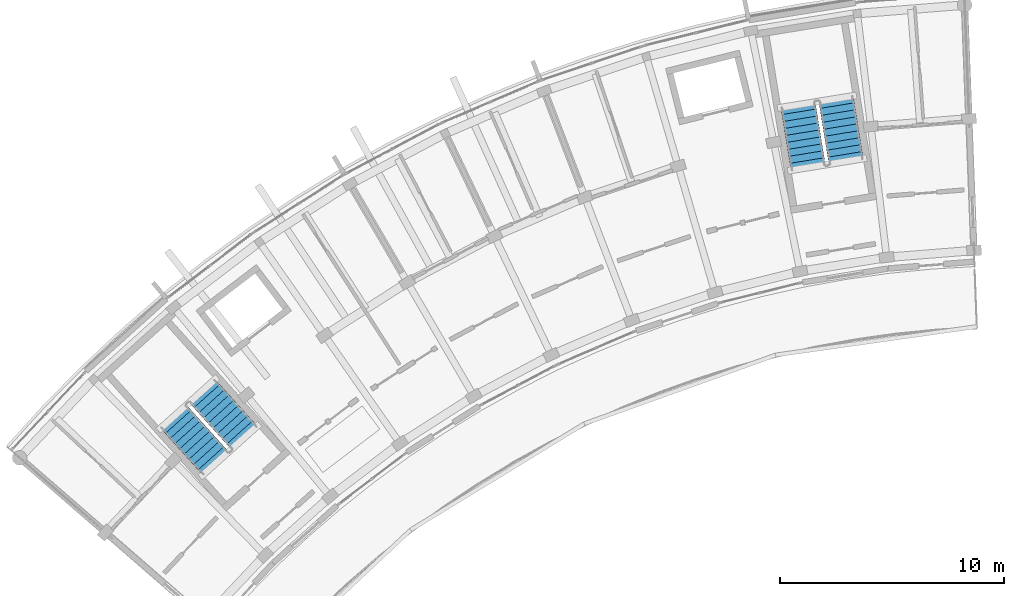
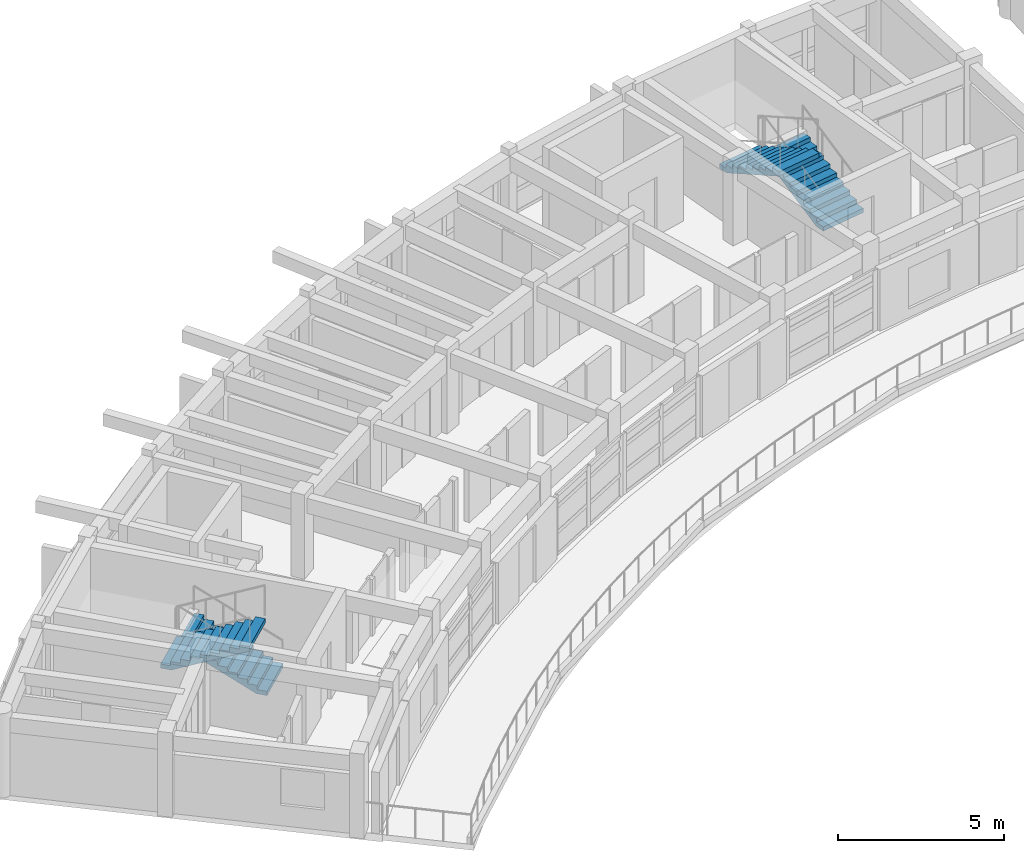
# One storey, part 19 of 23: 4 stair flights, 2 elements without a shape of their own.
"""IFC4 building model written with IfcOpenShell, lengths in metres."""

from ifc_helpers import new_model, si_unit, direction, frame, origin, place, context, subcontext, project, spatial, polyline, outline, extrude, material, type_object, element, aggregate, save


model = new_model("IFC4")

# Units and contexts
model_context = context("Model", 3, precision=1e-05, world=origin(), true_north=direction((0.0, 1.0)))
body_context = subcontext(model_context, "Body", "Model", "MODEL_VIEW")
ifc_project = project(units=[si_unit("LENGTHUNIT", "METRE"), si_unit("AREAUNIT", "SQUARE_METRE"), si_unit("VOLUMEUNIT", "CUBIC_METRE"), si_unit("PLANEANGLEUNIT", "RADIAN"), si_unit("MASSUNIT", "GRAM", prefix="KILO")], contexts=[model_context])

# Site, building, storey
site_placement = place(None, origin())
site = spatial("IfcSite", under=ifc_project, at=site_placement, CompositionType="ELEMENT")
building_placement = place(site_placement, origin())
building = spatial("IfcBuilding", under=site, at=building_placement, Name="Zimvara Arc Housing Community", CompositionType="ELEMENT")
storey_placement = place(building_placement, frame((0.0, 0.0, 36.0)))
storey = spatial("IfcBuildingStorey", under=building, at=storey_placement, Name="L11", CompositionType="ELEMENT", Elevation=36.0)

# Stair, stair flights
ifc_material_1 = material(Name="Concrete C35/45", Category="concrete")
stair_type_1 = type_object("IfcStairType", Name="STR-DL-312-310", PredefinedType="HALF_TURN_STAIR", material=ifc_material_1)
stair_1_placement = place(storey_placement, origin())
stair_1 = element("IfcStair", 1, at=stair_1_placement, inside=storey, type_object=stair_type_1, Name="L11 Block A Exit Stair 1", PredefinedType="HALF_TURN_STAIR")
ifc_material_2 = material(Name="Concrete C35/45", Category="concrete")
stair_flight_type_1 = type_object("IfcStairFlightType", Name="STF-DL-312-310", PredefinedType="STRAIGHT", material=ifc_material_2)
stair_flight_1_placement = place(storey_placement, frame((10.590576171875, 84.0283203125, 0.0), z_axis=(0.0, 0.0, 1.0), x_axis=(-0.668871159118, 0.743378350842, 0.0)))
stair_flight_1 = element("IfcStairFlight", 2, at=stair_flight_1_placement, type_object=stair_flight_type_1, Name="ST-A1 flight 1", NumberOfRisers=10, NumberOfTreads=9, PredefinedType="STRAIGHT", RiserHeight=0.155, TreadLength=0.312, context=body_context, shape_type="SweptSolid", body=[
    extrude(outline(polyline([(0.0, 0.0), (0.0, 0.155029296875), (0.31201171875, 0.155029296875), (0.31201171875, 0.31005859375), (0.6240234375, 0.31005859375), (0.6240234375, 0.465087890625), (0.93603515625, 0.465087890625), (0.93603515625, 0.6201171875), (1.248046875, 0.6201171875), (1.248046875, 0.77490234375), (1.56005859375, 0.77490234375), (1.56005859375, 0.929931640625), (1.8720703125, 0.929931640625), (1.8720703125, 1.0849609375), (2.18408203125, 1.0849609375), (2.18408203125, 1.239990234375), (2.49609375, 1.239990234375), (2.49609375, 1.39501953125), (2.80810546875, 1.39501953125), (2.80810546875, 1.550048828125), (2.80810546875, 1.2275390625), (0.3369140625, 0.0), (0.0, 0.0)])), frame((0.0, 0.780029296875, 0.0), z_axis=(0.0, -1.0, 0.0), x_axis=(1.0, 0.0, 0.0)), (0.0, 0.0, 1.0), 1.56005859375),
])
stair_flight_2_placement = place(storey_placement, frame((7.43359375, 84.965087890625, 1.550048828125), z_axis=(0.0, 0.0, 1.0), x_axis=(0.668871159118, -0.743378350842, 0.0)))
stair_flight_2 = element("IfcStairFlight", 3, at=stair_flight_2_placement, type_object=stair_flight_type_1, Name="ST-A1 flight 2", NumberOfRisers=10, NumberOfTreads=9, PredefinedType="STRAIGHT", RiserHeight=0.155, TreadLength=0.312, context=body_context, shape_type="SweptSolid", body=[
    extrude(outline(polyline([(0.0, 0.0), (0.0, 0.155029296875), (0.31201171875, 0.155029296875), (0.31201171875, 0.31005859375), (0.6240234375, 0.31005859375), (0.6240234375, 0.465087890625), (0.93603515625, 0.465087890625), (0.93603515625, 0.6201171875), (1.248046875, 0.6201171875), (1.248046875, 0.77490234375), (1.56005859375, 0.77490234375), (1.56005859375, 0.929931640625), (1.8720703125, 0.929931640625), (1.8720703125, 1.0849609375), (2.18408203125, 1.0849609375), (2.18408203125, 1.239990234375), (2.49609375, 1.239990234375), (2.49609375, 1.39501953125), (2.80810546875, 1.39501953125), (2.80810546875, 1.550048828125), (2.80810546875, 1.2275390625), (0.3369140625, 0.0), (0.0, 0.0)])), frame((0.0, 0.780029296875, 0.0), z_axis=(0.0, -1.0, 0.0), x_axis=(1.0, 0.0, 0.0)), (0.0, 0.0, 1.0), 1.56005859375),
])
aggregate(stair_1, [stair_flight_1, stair_flight_2])

ifc_material_3 = material(Name="Concrete C35/45", Category="concrete")
stair_type_2 = type_object("IfcStairType", Name="STR-DL-315-310", PredefinedType="HALF_TURN_STAIR", material=ifc_material_3)
stair_2_placement = place(storey_placement, origin())
stair_2 = element("IfcStair", 4, at=stair_2_placement, inside=storey, type_object=stair_type_2, Name="L11 Block A Exit Stair 2", PredefinedType="HALF_TURN_STAIR")
ifc_material_4 = material(Name="Concrete C35/45", Category="concrete")
stair_flight_type_2 = type_object("IfcStairFlightType", Name="STF-DL-315-310", PredefinedType="STRAIGHT", material=ifc_material_4)
stair_flight_3_placement = place(storey_placement, frame((37.453125, 96.36083984375, 0.0), z_axis=(0.0, 0.0, 1.0), x_axis=(-0.160225753504, 0.987080395872, 0.0)))
stair_flight_3 = element("IfcStairFlight", 5, at=stair_flight_3_placement, type_object=stair_flight_type_2, Name="ST-A2 flight 1", NumberOfRisers=10, NumberOfTreads=9, PredefinedType="STRAIGHT", RiserHeight=0.155, TreadLength=0.315, context=body_context, shape_type="SweptSolid", body=[
    extrude(outline(polyline([(0.0, 0.0), (0.0, 0.155029296875), (0.31494140625, 0.155029296875), (0.31494140625, 0.31005859375), (0.6298828125, 0.31005859375), (0.6298828125, 0.465087890625), (0.945068359375, 0.465087890625), (0.945068359375, 0.6201171875), (1.260009765625, 0.6201171875), (1.260009765625, 0.77490234375), (1.574951171875, 0.77490234375), (1.574951171875, 0.929931640625), (1.889892578125, 0.929931640625), (1.889892578125, 1.0849609375), (2.205078125, 1.0849609375), (2.205078125, 1.239990234375), (2.52001953125, 1.239990234375), (2.52001953125, 1.39501953125), (2.8349609375, 1.39501953125), (2.8349609375, 1.550048828125), (2.8349609375, 1.22802734375), (0.339599609375, 0.0), (0.0, 0.0)])), frame((0.0, 0.780029296875, 0.0), z_axis=(0.0, -1.0, 0.0), x_axis=(1.0, 0.0, 0.0)), (0.0, 0.0, 1.0), 1.56005859375),
])
stair_flight_4_placement = place(storey_placement, frame((35.301025390625, 98.883544921875, 1.550048828125), z_axis=(0.0, 0.0, 1.0), x_axis=(0.160225753504, -0.987080395872, 0.0)))
stair_flight_4 = element("IfcStairFlight", 6, at=stair_flight_4_placement, type_object=stair_flight_type_2, Name="ST-A2 flight 2", NumberOfRisers=10, NumberOfTreads=9, PredefinedType="STRAIGHT", RiserHeight=0.155, TreadLength=0.315, context=body_context, shape_type="SweptSolid", body=[
    extrude(outline(polyline([(0.0, 0.0), (0.0, 0.155029296875), (0.31494140625, 0.155029296875), (0.31494140625, 0.31005859375), (0.6298828125, 0.31005859375), (0.6298828125, 0.465087890625), (0.945068359375, 0.465087890625), (0.945068359375, 0.6201171875), (1.260009765625, 0.6201171875), (1.260009765625, 0.77490234375), (1.574951171875, 0.77490234375), (1.574951171875, 0.929931640625), (1.889892578125, 0.929931640625), (1.889892578125, 1.0849609375), (2.205078125, 1.0849609375), (2.205078125, 1.239990234375), (2.52001953125, 1.239990234375), (2.52001953125, 1.39501953125), (2.8349609375, 1.39501953125), (2.8349609375, 1.550048828125), (2.8349609375, 1.22802734375), (0.339599609375, 0.0), (0.0, 0.0)])), frame((0.0, 0.780029296875, 0.0), z_axis=(0.0, -1.0, 0.0), x_axis=(1.0, 0.0, 0.0)), (0.0, 0.0, 1.0), 1.56005859375),
])
aggregate(stair_2, [stair_flight_3, stair_flight_4])

save(model, "model.ifc")
